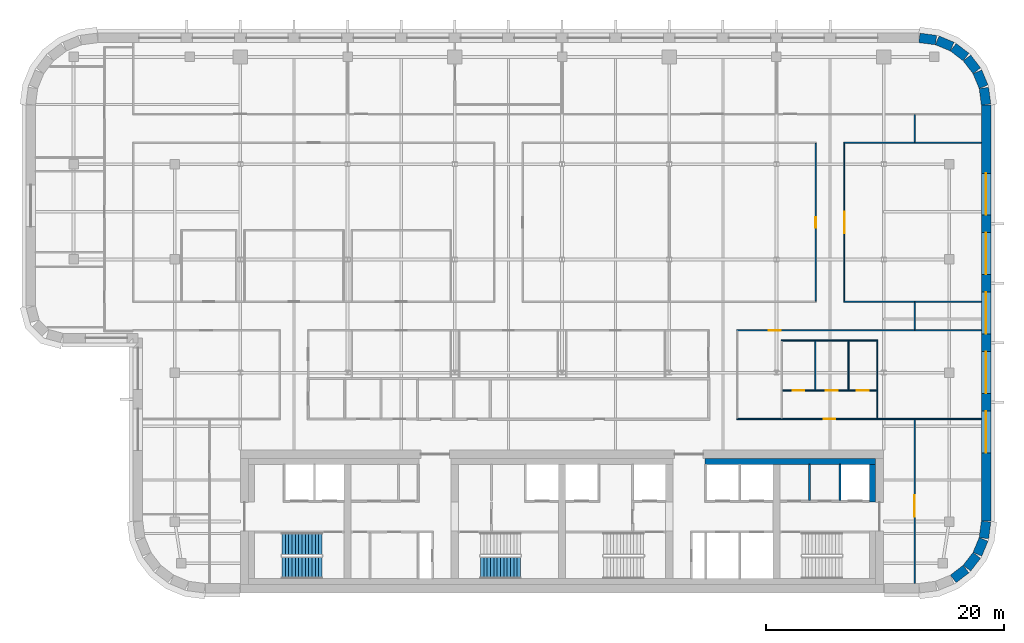
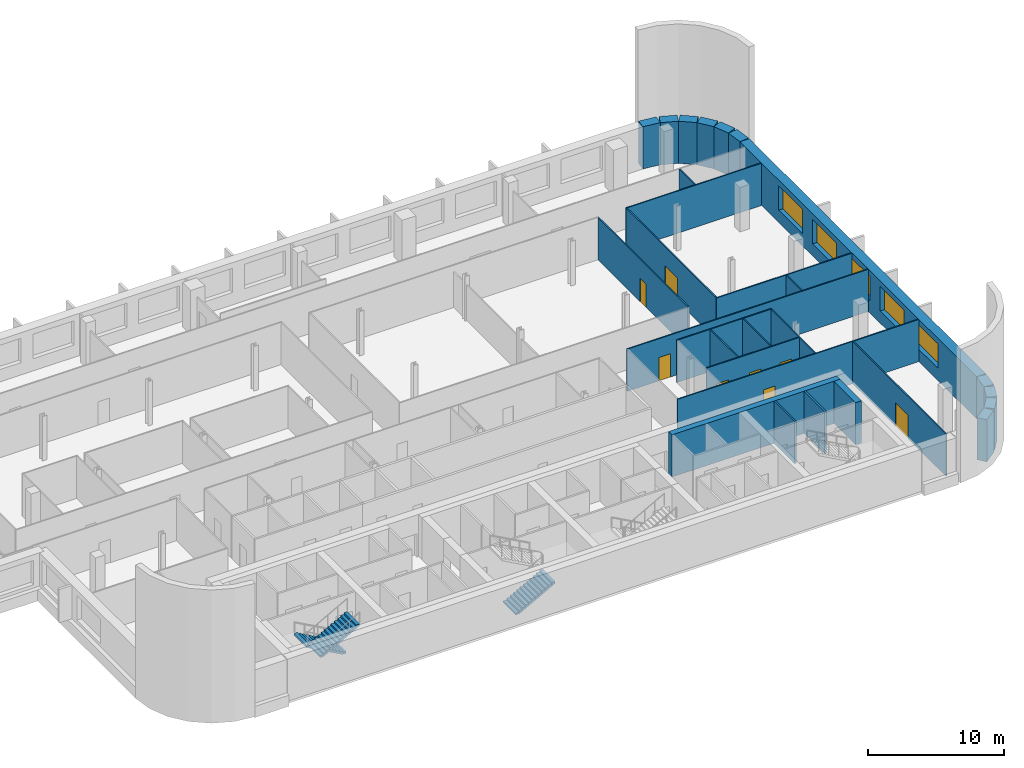
# One storey, part 12 of 17: 29 walls, 8 doors, 5 windows, 3 stair flights, 13 openings, 2 elements without a shape of their own.
"""IFC4 building model written with IfcOpenShell, lengths in metres."""

import ifcopenshell
import ifcopenshell.guid

model = None  # the IFC model being written
_history = None  # IfcOwnerHistory: only IFC2X3 demands one
_inside = {}  # id of a spatial element -> (the spatial element, [elements in it])
_under = {}  # id of a project, library or spatial element -> (it, [spatial elements below it])
_declared = {}  # id of a project -> (the project, [libraries it declares])
_typed = {}  # id of a type object -> (the type object, [elements of that type])
_made_of = {}  # id of a material, layer set ... -> (it, [elements and type objects made of it])


def new_model(schema):
    """Start an empty IFC model of exactly this schema.

    Asked for "IFC4X3", IfcOpenShell would pick the latest addendum, in which some entities
    have other attributes; the version numbers below select the first issue.
    IFC2X3 requires an IfcOwnerHistory on every rooted entity: one is made here for all.
    """
    global model, _history
    if schema == "IFC4X3":
        model = ifcopenshell.file(schema_version=(4, 3, 0, 0))
    else:
        model = ifcopenshell.file(schema=schema)
    _inside.clear()
    _under.clear()
    _declared.clear()
    _typed.clear()
    _made_of.clear()
    _history = None
    if model.schema == "IFC2X3":
        org = make("IfcOrganization", Name="unknown")
        user = make(
            "IfcPersonAndOrganization",
            ThePerson=make("IfcPerson", FamilyName="unknown"),
            TheOrganization=org,
        )
        app = make(
            "IfcApplication",
            ApplicationDeveloper=org,
            Version="unknown",
            ApplicationFullName="unknown",
            ApplicationIdentifier="unknown",
        )
        _history = make(
            "IfcOwnerHistory",
            OwningUser=user,
            OwningApplication=app,
            ChangeAction="ADDED",
            CreationDate=0,
        )
    return model


def make(cls, **values):
    """One entity of the class cls with the attributes given. An attribute that is None is left unset."""
    return model.create_entity(
        cls, **{name: value for name, value in values.items() if value is not None}
    )


def rooted(cls, **values):
    """An entity with a GlobalId (a new one), such as an element, a storey or a relation."""
    return make(cls, GlobalId=ifcopenshell.guid.new(), OwnerHistory=_history, **values)


def si_unit(unit_type, name, prefix=None):
    """IfcSIUnit, for example si_unit("LENGTHUNIT", "METRE", prefix="MILLI")."""
    return make("IfcSIUnit", UnitType=unit_type, Prefix=prefix, Name=name)


def assignment(units):
    """IfcUnitAssignment: the units of a project."""
    return None if units is None else make("IfcUnitAssignment", Units=units)


def point(xyz):
    """IfcCartesianPoint."""
    return None if xyz is None else make("IfcCartesianPoint", Coordinates=xyz)


def direction(xyz):
    """IfcDirection."""
    return None if xyz is None else make("IfcDirection", DirectionRatios=xyz)


def frame(location, z_axis=None, x_axis=None):
    """IfcAxis2Placement3D, a coordinate frame: its origin and axes. An axis left out is left unset."""
    return make(
        "IfcAxis2Placement3D",
        Location=point(location),
        Axis=direction(z_axis),
        RefDirection=direction(x_axis),
    )


def frame_2d(location, x_axis=None):
    """IfcAxis2Placement2D, a coordinate frame in the plane: its origin and x axis."""
    return make(
        "IfcAxis2Placement2D", Location=point(location), RefDirection=direction(x_axis)
    )


def origin():
    """The frame at (0, 0, 0) with its axes left unset."""
    return frame((0.0, 0.0, 0.0))


def place(relative_to, where):
    """IfcLocalPlacement: puts the frame where relative to a parent placement (None: the world)."""
    return make(
        "IfcLocalPlacement", PlacementRelTo=relative_to, RelativePlacement=where
    )


def context(
    kind, dimensions, precision=None, world=None, true_north=None, identifier=None
):
    """IfcGeometricRepresentationContext, for example the 3D "Model" context."""
    return make(
        "IfcGeometricRepresentationContext",
        ContextIdentifier=identifier,
        ContextType=kind,
        CoordinateSpaceDimension=dimensions,
        Precision=precision,
        WorldCoordinateSystem=world,
        TrueNorth=true_north,
    )


def subcontext(parent, identifier, kind, view, scale=None):
    """IfcGeometricRepresentationSubContext, for example "Body" below "Model"."""
    return make(
        "IfcGeometricRepresentationSubContext",
        ContextIdentifier=identifier,
        ContextType=kind,
        ParentContext=parent,
        TargetScale=scale,
        TargetView=view,
    )


def project(units=None, contexts=None):
    """IfcProject with its units and contexts."""
    return rooted(
        "IfcProject",
        Name="project",
        RepresentationContexts=contexts,
        UnitsInContext=assignment(units),
    )


def spatial(cls, under=None, at=None, **own):
    """A site, building, storey or space (cls), placed at a placement, below another one or the project."""
    s = rooted(cls, ObjectPlacement=at, **own)
    if under is not None:
        _under.setdefault(under.id(), (under, []))[1].append(s)
    return s


def polyline(points):
    """IfcPolyline through the points."""
    return make("IfcPolyline", Points=[point(p) for p in points])


def profile(cls, at=None, kind="AREA", **sizes):
    """A parametric profile (cls). Its sizes go by their IFC names, for example OverallWidth=200.0."""
    return make(cls, ProfileType=kind, Position=at, **sizes)


def rectangle(**sizes):
    """IfcRectangleProfileDef."""
    return profile("IfcRectangleProfileDef", **sizes)


def outline(outer, holes=None, kind="AREA"):
    """IfcArbitraryClosedProfileDef: a profile drawn as a closed curve; with holes, ...WithVoids."""
    if holes is None:
        return make("IfcArbitraryClosedProfileDef", ProfileType=kind, OuterCurve=outer)
    return make(
        "IfcArbitraryProfileDefWithVoids",
        ProfileType=kind,
        OuterCurve=outer,
        InnerCurves=holes,
    )


def extrude(swept, where, along, depth):
    """IfcExtrudedAreaSolid: the profile swept, set in the frame where, extruded along a direction by depth."""
    return make(
        "IfcExtrudedAreaSolid",
        SweptArea=swept,
        Position=where,
        ExtrudedDirection=direction(along),
        Depth=depth,
    )


def shape(context_of_items, identifier, shape_type, items):
    """IfcShapeRepresentation: the items that make up one representation, for example the "Body"."""
    return make(
        "IfcShapeRepresentation",
        ContextOfItems=context_of_items,
        RepresentationIdentifier=identifier,
        RepresentationType=shape_type,
        Items=items,
    )


def material(Name=None, Category=None):
    """IfcMaterial."""
    return make("IfcMaterial", Name=Name, Category=Category)


def layer(
    of_material, thickness, ventilated=None, Name=None, Category=None, Priority=None
):
    """IfcMaterialLayer: one layer of a wall or slab, of a material (None: an air gap)."""
    return make(
        "IfcMaterialLayer",
        Material=of_material,
        LayerThickness=thickness,
        IsVentilated=ventilated,
        Name=Name,
        Category=Category,
        Priority=Priority,
    )


def layer_set(layers, Name=None):
    """IfcMaterialLayerSet."""
    return make("IfcMaterialLayerSet", MaterialLayers=layers, LayerSetName=Name)


def made_of(thing, what):
    """Note that an element or type object is made of a material, layer set ...; save() writes the relation."""
    if what is not None:
        _made_of.setdefault(what.id(), (what, []))[1].append(thing)
    return thing


def type_object(cls, material=None, **own):
    """A type object (cls), such as IfcWallType, which elements share."""
    return made_of(rooted(cls, **own), material)


def element(
    cls,
    number,
    at=None,
    inside=None,
    cuts=None,
    type_object=None,
    material=None,
    context=None,
    identifier="Body",
    shape_type=None,
    held_by="IfcProductDefinitionShape",
    body=None,
    shapes=None,
    **own,
):
    """One element of the class cls, such as IfcWall. Its Tag is "e" and its number.

    at: its placement. inside: the storey or other place that contains it. cuts: it is an
    opening in that element (IfcRelVoidsElement). A single representation is given by context,
    identifier, shape_type and body (its items); several are given by shapes. held_by: the class
    of the entity that holds the representations. save() writes the other relations.
    """
    e = rooted(cls, Tag="e%d" % number, ObjectPlacement=at, **own)
    if body is not None:
        shapes = [shape(context, identifier, shape_type, body)]
    if shapes is not None:
        e.Representation = make(held_by, Representations=shapes)
    if inside is not None:
        _inside.setdefault(inside.id(), (inside, []))[1].append(e)
    if cuts is not None:
        rooted(
            "IfcRelVoidsElement", RelatingBuildingElement=cuts, RelatedOpeningElement=e
        )
    if type_object is not None:
        _typed.setdefault(type_object.id(), (type_object, []))[1].append(e)
    return made_of(e, material)


def fill(opening, filler):
    """IfcRelFillsElement: the door or window that sits in an opening."""
    return rooted(
        "IfcRelFillsElement",
        RelatingOpeningElement=opening,
        RelatedBuildingElement=filler,
    )


def aggregate(whole, parts):
    """IfcRelAggregates: a whole, such as a stair, and the parts it consists of."""
    return rooted("IfcRelAggregates", RelatingObject=whole, RelatedObjects=parts)


def save(model, path):
    """Write the relations noted so far, then the file.

    IfcRelAggregates (storeys below a building ...), IfcRelContainedInSpatialStructure (elements
    in a storey), IfcRelDefinesByType, IfcRelAssociatesMaterial and IfcRelDeclares: one each for
    every whole, place, type object, material and project.
    """
    for whole, parts in _under.values():
        aggregate(whole, parts)
    for where, things in _inside.values():
        rooted(
            "IfcRelContainedInSpatialStructure",
            RelatedElements=things,
            RelatingStructure=where,
        )
    for kind, things in _typed.values():
        rooted("IfcRelDefinesByType", RelatedObjects=things, RelatingType=kind)
    for what, things in _made_of.values():
        rooted("IfcRelAssociatesMaterial", RelatedObjects=things, RelatingMaterial=what)
    for by, libraries in _declared.values():
        rooted("IfcRelDeclares", RelatingContext=by, RelatedDefinitions=libraries)
    model.write(path)


model = new_model("IFC4")

# Units and contexts
model_context = context("Model", 3, precision=1e-05, world=origin(), true_north=direction((0.0, 1.0)))
body_context = subcontext(model_context, "Body", "Model", "MODEL_VIEW")
ifc_project = project(units=[si_unit("LENGTHUNIT", "METRE"), si_unit("AREAUNIT", "SQUARE_METRE"), si_unit("VOLUMEUNIT", "CUBIC_METRE"), si_unit("PLANEANGLEUNIT", "RADIAN"), si_unit("MASSUNIT", "GRAM", prefix="KILO")], contexts=[model_context])

# Site, building, storey
site_placement = place(None, origin())
site = spatial("IfcSite", under=ifc_project, at=site_placement, CompositionType="ELEMENT")
building_placement = place(site_placement, origin())
building = spatial("IfcBuilding", under=site, at=building_placement, Name="Zellij Exchange Tower", CompositionType="ELEMENT")
storey_placement = place(building_placement, frame((0.0, 0.0, 232.5)))
storey = spatial("IfcBuildingStorey", under=building, at=storey_placement, Name="L54", CompositionType="ELEMENT", Elevation=232.5)

# Walls
ifc_material_1 = material(Name="Concrete C30/37", Category="concrete")
ifc_layer_1 = layer(ifc_material_1, 0.5)
ifc_layer_set_1 = layer_set([ifc_layer_1], Name="Concrete C30/37")
wall_type_1 = type_object("IfcWallType", Name="CORE-LW 500 C30/37", PredefinedType="SHEAR", material=ifc_layer_set_1)
wall_1_placement = place(storey_placement, frame((12.0, -2.949951171875, 0.0), z_axis=(0.0, 0.0, 1.0), x_axis=(1.0, 0.0, 0.0)))
element("IfcWall", 1, at=wall_1_placement, inside=storey, type_object=wall_type_1, Name="Core wall lining front.2 L54", PredefinedType="SHEAR", context=body_context, shape_type="SweptSolid", body=[
    extrude(rectangle(XDim=14.300048828125, YDim=0.5, at=frame_2d((7.14990234375, 0.0))), origin(), (0.0, 0.0, 1.0), 3.800048828125),
])
wall_2_placement = place(storey_placement, frame((26.050048828125, -6.375, 0.0), z_axis=(0.0, 0.0, 1.0), x_axis=(0.0, 1.0, 0.0)))
element("IfcWall", 2, at=wall_2_placement, inside=storey, type_object=wall_type_1, Name="Core wall lining end e.1 L54", PredefinedType="SHEAR", context=body_context, shape_type="SweptSolid", body=[
    extrude(rectangle(XDim=3.175048828125, YDim=0.5, at=frame_2d((1.58740234375, 0.0))), origin(), (0.0, 0.0, 1.0), 3.800048828125),
])
ifc_material_2 = material(Name="Gypsum board partition")
ifc_layer_2 = layer(ifc_material_2, 0.14990234375)
ifc_layer_set_2 = layer_set([ifc_layer_2], Name="Gypsum board partition")
wall_type_2 = type_object("IfcWallType", Name="CORE-PW 150 Lift lobby wall", PredefinedType="PARTITIONING", material=ifc_layer_set_2)
wall_3_placement = place(storey_placement, frame((20.77490234375, -6.22509765625, 0.0), z_axis=(0.0, 0.0, 1.0), x_axis=(0.0, 1.0, 0.0)))
element("IfcWall", 3, at=wall_3_placement, inside=storey, type_object=wall_type_2, Name="Lift lobby wall L54", PredefinedType="PARTITIONING", context=body_context, shape_type="SweptSolid", body=[
    extrude(rectangle(XDim=3.025146484375, YDim=0.14990234375, at=frame_2d((1.5126953125, 0.0))), origin(), (0.0, 0.0, 1.0), 3.800048828125),
])
ifc_material_3 = material(Name="Gypsum shaft wall system")
ifc_layer_3 = layer(ifc_material_3, 0.14990234375)
ifc_layer_set_3 = layer_set([ifc_layer_3], Name="Gypsum shaft wall system")
wall_type_3 = type_object("IfcWallType", Name="CORE-PW 150 Lift shaft wall", PredefinedType="PARTITIONING", material=ifc_layer_set_3)
wall_4_placement = place(storey_placement, frame((23.324951171875, -6.22509765625, 0.0), z_axis=(0.0, 0.0, 1.0), x_axis=(0.0, 1.0, 0.0)))
element("IfcWall", 4, at=wall_4_placement, inside=storey, type_object=wall_type_3, Name="Lift shaft wall L54", PredefinedType="PARTITIONING", context=body_context, shape_type="SweptSolid", body=[
    extrude(rectangle(XDim=3.025146484375, YDim=0.14990234375, at=frame_2d((1.5126953125, 0.0))), origin(), (0.0, 0.0, 1.0), 3.800048828125),
])
ifc_material_4 = material(Name="Precast concrete C40/50", Category="concrete")
ifc_layer_4 = layer(ifc_material_4, 0.800048828125)
ifc_layer_set_4 = layer_set([ifc_layer_4], Name="Precast concrete C40/50")
wall_type_4 = type_object("IfcWallType", Name="ENV-EW1 Precast stone-piered wall 800", PredefinedType="SOLIDWALL", material=ifc_layer_set_4)
for number, where, z_axis, x_axis, name in (
    (5, (32.840087890625, -12.814697265625, 0.0), (0.0, 0.0, 1.0), (0.793272915452, 0.608866226366, 0.0), "fac.L54.03"),
    (6, (33.9892578125, -11.91552734375, 0.0), (0.0, 0.0, 1.0), (0.608866226366, 0.793272915452, 0.0), "fac.L54.04"),
):
    element("IfcWall", number, at=place(storey_placement, frame(where, z_axis=z_axis, x_axis=x_axis)), inside=storey, type_object=wall_type_4, Name=name, PredefinedType="SOLIDWALL", context=body_context, shape_type="SweptSolid", body=[
        extrude(rectangle(XDim=1.355712890625, YDim=0.800048828125, at=frame_2d((0.677734375, 0.0))), origin(), (0.0, 0.0, 1.0), 3.800048828125),
    ])
wall_5_placement = place(storey_placement, frame((34.866943359375, -10.74951171875, 0.0), z_axis=(0.0, 0.0, 1.0), x_axis=(0.38276009378, 0.923847774587, 0.0)))
element("IfcWall", 7, at=wall_5_placement, inside=storey, type_object=wall_type_4, Name="fac.L54.05", PredefinedType="SOLIDWALL", context=body_context, shape_type="SweptSolid", body=[
    extrude(rectangle(XDim=1.35546875, YDim=0.800048828125, at=frame_2d((0.677734375, 0.0))), origin(), (0.0, 0.0, 1.0), 3.800048828125),
])
wall_6_placement = place(storey_placement, frame((35.412841796875, -9.396240234375, 0.0), z_axis=(0.0, 0.0, 1.0), x_axis=(0.130517283865, 0.99144603414, 0.0)))
element("IfcWall", 8, at=wall_6_placement, inside=storey, type_object=wall_type_4, Name="fac.L54.06", PredefinedType="SOLIDWALL", context=body_context, shape_type="SweptSolid", body=[
    extrude(rectangle(XDim=1.408447265625, YDim=0.800048828125, at=frame_2d((0.7041015625, 0.0))), origin(), (0.0, 0.0, 1.0), 3.800048828125),
])

# Wall, openings, windows
wall_7_placement = place(storey_placement, frame((35.60009765625, -7.947509765625, 0.0), z_axis=(0.0, 0.0, 1.0), x_axis=(0.0, 1.0, 0.0)))
wall_7 = element("IfcWall", 9, at=wall_7_placement, inside=storey, type_object=wall_type_4, Name="fac.L54.07", PredefinedType="SOLIDWALL", context=body_context, shape_type="SweptSolid", body=[
    extrude(rectangle(XDim=34.89501953125, YDim=0.800048828125, at=frame_2d((17.447509765625, 0.0))), origin(), (0.0, 0.0, 1.0), 3.800048828125),
])
opening_1_placement = place(wall_7_placement, frame((5.71240234375, 0.0, 1.10009765625)))
opening_1 = element("IfcOpeningElement", 10, at=opening_1_placement, cuts=wall_7, Name="Opening FZ4.01", PredefinedType="OPENING", context=body_context, shape_type="SweptSolid", body=[
    extrude(rectangle(XDim=3.5, YDim=2.199951171875, at=frame_2d((1.75, 1.10009765625))), frame((0.0, 0.412109375, 0.0), z_axis=(0.0, -1.0, 0.0), x_axis=(1.0, 0.0, 0.0)), (0.0, 0.0, 1.0), 0.823974609375),
])
opening_2_placement = place(wall_7_placement, frame((10.705078125, 0.0, 1.10009765625)))
opening_2 = element("IfcOpeningElement", 11, at=opening_2_placement, cuts=wall_7, Name="Opening FZ4.02", PredefinedType="OPENING", context=body_context, shape_type="SweptSolid", body=[
    extrude(rectangle(XDim=3.5, YDim=2.199951171875, at=frame_2d((1.75, 1.10009765625))), frame((0.0, 0.412109375, 0.0), z_axis=(0.0, -1.0, 0.0), x_axis=(1.0, 0.0, 0.0)), (0.0, 0.0, 1.0), 0.823974609375),
])
opening_3_placement = place(wall_7_placement, frame((15.697509765625, 0.0, 1.10009765625)))
opening_3 = element("IfcOpeningElement", 12, at=opening_3_placement, cuts=wall_7, Name="Opening FZ4.03", PredefinedType="OPENING", context=body_context, shape_type="SweptSolid", body=[
    extrude(rectangle(XDim=3.5, YDim=2.199951171875, at=frame_2d((1.75, 1.10009765625))), frame((0.0, 0.412109375, 0.0), z_axis=(0.0, -1.0, 0.0), x_axis=(1.0, 0.0, 0.0)), (0.0, 0.0, 1.0), 0.823974609375),
])
opening_4_placement = place(wall_7_placement, frame((20.690185546875, 0.0, 1.10009765625)))
opening_4 = element("IfcOpeningElement", 13, at=opening_4_placement, cuts=wall_7, Name="Opening FZ4.04", PredefinedType="OPENING", context=body_context, shape_type="SweptSolid", body=[
    extrude(rectangle(XDim=3.5, YDim=2.199951171875, at=frame_2d((1.75, 1.10009765625))), frame((0.0, 0.412109375, 0.0), z_axis=(0.0, -1.0, 0.0), x_axis=(1.0, 0.0, 0.0)), (0.0, 0.0, 1.0), 0.823974609375),
])
opening_5_placement = place(wall_7_placement, frame((25.6826171875, 0.0, 1.10009765625)))
opening_5 = element("IfcOpeningElement", 14, at=opening_5_placement, cuts=wall_7, Name="Opening FZ4.05", PredefinedType="OPENING", context=body_context, shape_type="SweptSolid", body=[
    extrude(rectangle(XDim=3.5, YDim=2.199951171875, at=frame_2d((1.75, 1.10009765625))), frame((0.0, 0.412109375, 0.0), z_axis=(0.0, -1.0, 0.0), x_axis=(1.0, 0.0, 0.0)), (0.0, 0.0, 1.0), 0.823974609375),
])
ifc_material_5 = material(Name="Aluminium frame with insulating glass", Category="aluminium")
window_type = type_object("IfcWindowType", Name="ENV-W7 Window 3500x2200", PartitioningType="SINGLE_PANEL", PredefinedType="WINDOW", material=ifc_material_5)
window_1_placement = place(opening_1_placement, origin())
window_1 = element("IfcWindow", 15, at=window_1_placement, inside=storey, type_object=window_type, Name="Window FZ4.01", OverallHeight=2.199951171875, OverallWidth=3.5, PartitioningType="SINGLE_PANEL", PredefinedType="WINDOW", context=body_context, shape_type="SweptSolid", body=[
    extrude(rectangle(XDim=3.5, YDim=2.199951171875, at=frame_2d((1.75, 1.10009765625))), frame((0.0, 0.030029296875, 0.0), z_axis=(0.0, -1.0, 0.0), x_axis=(1.0, 0.0, 0.0)), (0.0, 0.0, 1.0), 0.06005859375),
])
fill(opening_1, window_1)
window_2_placement = place(opening_2_placement, origin())
window_2 = element("IfcWindow", 16, at=window_2_placement, inside=storey, type_object=window_type, Name="Window FZ4.02", OverallHeight=2.199951171875, OverallWidth=3.5, PartitioningType="SINGLE_PANEL", PredefinedType="WINDOW", context=body_context, shape_type="SweptSolid", body=[
    extrude(rectangle(XDim=3.5, YDim=2.199951171875, at=frame_2d((1.75, 1.10009765625))), frame((0.0, 0.030029296875, 0.0), z_axis=(0.0, -1.0, 0.0), x_axis=(1.0, 0.0, 0.0)), (0.0, 0.0, 1.0), 0.06005859375),
])
fill(opening_2, window_2)
window_3_placement = place(opening_3_placement, origin())
window_3 = element("IfcWindow", 17, at=window_3_placement, inside=storey, type_object=window_type, Name="Window FZ4.03", OverallHeight=2.199951171875, OverallWidth=3.5, PartitioningType="SINGLE_PANEL", PredefinedType="WINDOW", context=body_context, shape_type="SweptSolid", body=[
    extrude(rectangle(XDim=3.5, YDim=2.199951171875, at=frame_2d((1.75, 1.10009765625))), frame((0.0, 0.030029296875, 0.0), z_axis=(0.0, -1.0, 0.0), x_axis=(1.0, 0.0, 0.0)), (0.0, 0.0, 1.0), 0.06005859375),
])
fill(opening_3, window_3)
window_4_placement = place(opening_4_placement, origin())
window_4 = element("IfcWindow", 18, at=window_4_placement, inside=storey, type_object=window_type, Name="Window FZ4.04", OverallHeight=2.199951171875, OverallWidth=3.5, PartitioningType="SINGLE_PANEL", PredefinedType="WINDOW", context=body_context, shape_type="SweptSolid", body=[
    extrude(rectangle(XDim=3.5, YDim=2.199951171875, at=frame_2d((1.75, 1.10009765625))), frame((0.0, 0.030029296875, 0.0), z_axis=(0.0, -1.0, 0.0), x_axis=(1.0, 0.0, 0.0)), (0.0, 0.0, 1.0), 0.06005859375),
])
fill(opening_4, window_4)
window_5_placement = place(opening_5_placement, origin())
window_5 = element("IfcWindow", 19, at=window_5_placement, inside=storey, type_object=window_type, Name="Window FZ4.05", OverallHeight=2.199951171875, OverallWidth=3.5, PartitioningType="SINGLE_PANEL", PredefinedType="WINDOW", context=body_context, shape_type="SweptSolid", body=[
    extrude(rectangle(XDim=3.5, YDim=2.199951171875, at=frame_2d((1.75, 1.10009765625))), frame((0.0, 0.030029296875, 0.0), z_axis=(0.0, -1.0, 0.0), x_axis=(1.0, 0.0, 0.0)), (0.0, 0.0, 1.0), 0.06005859375),
])
fill(opening_5, window_5)

# Walls
wall_8_placement = place(storey_placement, frame((35.5966796875, 26.999755859375, 0.0), z_axis=(0.0, 0.0, 1.0), x_axis=(-0.130517283865, 0.99144603414, 0.0)))
element("IfcWall", 20, at=wall_8_placement, inside=storey, type_object=wall_type_4, Name="fac.L54.08", PredefinedType="SOLIDWALL", context=body_context, shape_type="SweptSolid", body=[
    extrude(rectangle(XDim=1.408447265625, YDim=0.800048828125, at=frame_2d((0.7041015625, 0.0))), origin(), (0.0, 0.0, 1.0), 3.800048828125),
])
wall_9_placement = place(storey_placement, frame((35.3857421875, 28.497314453125, 0.0), z_axis=(0.0, 0.0, 1.0), x_axis=(-0.38276009378, 0.923847774587, 0.0)))
element("IfcWall", 21, at=wall_9_placement, inside=storey, type_object=wall_type_4, Name="fac.L54.09", PredefinedType="SOLIDWALL", context=body_context, shape_type="SweptSolid", body=[
    extrude(rectangle(XDim=1.35546875, YDim=0.800048828125, at=frame_2d((0.677734375, 0.0))), origin(), (0.0, 0.0, 1.0), 3.800048828125),
])
for number, where, z_axis, x_axis, name in (
    (22, (34.814697265625, 29.840087890625, 0.0), (0.0, 0.0, 1.0), (-0.608866226366, 0.793272915452, 0.0), "fac.L54.10"),
    (23, (33.91552734375, 30.9892578125, 0.0), (0.0, 0.0, 1.0), (-0.793272915452, 0.608866226366, 0.0), "fac.L54.11"),
):
    element("IfcWall", number, at=place(storey_placement, frame(where, z_axis=z_axis, x_axis=x_axis)), inside=storey, type_object=wall_type_4, Name=name, PredefinedType="SOLIDWALL", context=body_context, shape_type="SweptSolid", body=[
        extrude(rectangle(XDim=1.355712890625, YDim=0.800048828125, at=frame_2d((0.677734375, 0.0))), origin(), (0.0, 0.0, 1.0), 3.800048828125),
    ])
wall_10_placement = place(storey_placement, frame((32.74951171875, 31.866943359375, 0.0), z_axis=(0.0, 0.0, 1.0), x_axis=(-0.923847774587, 0.38276009378, 0.0)))
element("IfcWall", 24, at=wall_10_placement, inside=storey, type_object=wall_type_4, Name="fac.L54.12", PredefinedType="SOLIDWALL", context=body_context, shape_type="SweptSolid", body=[
    extrude(rectangle(XDim=1.35546875, YDim=0.800048828125, at=frame_2d((0.677734375, 0.0))), origin(), (0.0, 0.0, 1.0), 3.800048828125),
])
wall_11_placement = place(storey_placement, frame((31.396240234375, 32.412841796875, 0.0), z_axis=(0.0, 0.0, 1.0), x_axis=(-0.99144603414, 0.130517283865, 0.0)))
element("IfcWall", 25, at=wall_11_placement, inside=storey, type_object=wall_type_4, Name="fac.L54.13", PredefinedType="SOLIDWALL", context=body_context, shape_type="SweptSolid", body=[
    extrude(rectangle(XDim=1.408447265625, YDim=0.800048828125, at=frame_2d((0.7041015625, 0.0))), origin(), (0.0, 0.0, 1.0), 3.800048828125),
])

# Wall, opening, door
ifc_material_6 = material(Name="Gypsum board partition on steel studs", Category="steel")
ifc_layer_5 = layer(ifc_material_6, 0.10009765625)
ifc_layer_set_5 = layer_set([ifc_layer_5], Name="Gypsum board partition on steel studs")
wall_type_5 = type_object("IfcWallType", Name="FIT-PARTITION-100", PredefinedType="PARTITIONING", material=ifc_layer_set_5)
wall_12_placement = place(storey_placement, frame((29.60009765625, -13.199951171875, 0.0), z_axis=(0.0, 0.0, 1.0), x_axis=(0.0, 1.0, 0.0)))
wall_12 = element("IfcWall", 26, at=wall_12_placement, inside=storey, type_object=wall_type_5, Name="FIT-PARTITION-100 002", PredefinedType="PARTITIONING", context=body_context, shape_type="SweptSolid", body=[
    extrude(rectangle(XDim=13.75, YDim=0.10009765625, at=frame_2d((6.875, 0.0))), origin(), (0.0, 0.0, 1.0), 3.800048828125),
])
opening_6_placement = place(wall_12_placement, frame((5.60009765625, 0.0, 0.0)))
opening_6 = element("IfcOpeningElement", 27, at=opening_6_placement, cuts=wall_12, Name="Opening O4B.01", PredefinedType="OPENING", context=body_context, shape_type="SweptSolid", body=[
    extrude(rectangle(XDim=1.800048828125, YDim=2.10009765625, at=frame_2d((0.89990234375, 1.050048828125))), frame((0.0, 0.06201171875, 0.0), z_axis=(0.0, -1.0, 0.0), x_axis=(1.0, 0.0, 0.0)), (0.0, 0.0, 1.0), 0.1240234375),
])
ifc_material_7 = material(Name="Timber door set", Category="wood")
door_type_1 = type_object("IfcDoorType", Name="FIT-D3-DOUBLE-1800X2100", OperationType="DOUBLE_DOOR_SINGLE_SWING", PredefinedType="DOOR", material=ifc_material_7)
door_1_placement = place(opening_6_placement, origin())
door_1 = element("IfcDoor", 28, at=door_1_placement, inside=storey, type_object=door_type_1, Name="Door O4B.01", OperationType="DOUBLE_DOOR_SINGLE_SWING", OverallHeight=2.10009765625, OverallWidth=1.800048828125, PredefinedType="DOOR", context=body_context, shape_type="SweptSolid", body=[
    extrude(rectangle(XDim=1.800048828125, YDim=2.10009765625, at=frame_2d((0.89990234375, 1.050048828125))), frame((0.0, 0.02490234375, 0.0), z_axis=(0.0, -1.0, 0.0), x_axis=(1.0, 0.0, 0.0)), (0.0, 0.0, 1.0), 0.050048828125),
])
fill(opening_6, door_1)

wall_13_placement = place(storey_placement, frame((14.64990234375, 0.60009765625, 0.0), z_axis=(0.0, 0.0, 1.0), x_axis=(1.0, 0.0, 0.0)))
wall_13 = element("IfcWall", 29, at=wall_13_placement, inside=storey, type_object=wall_type_5, Name="FIT-PARTITION-100 015", PredefinedType="PARTITIONING", context=body_context, shape_type="SweptSolid", body=[
    extrude(rectangle(XDim=20.550048828125, YDim=0.10009765625, at=frame_2d((10.27490234375, 0.0))), origin(), (0.0, 0.0, 1.0), 3.800048828125),
])
opening_7_placement = place(wall_13_placement, frame((7.300048828125, 0.0, 0.0)))
opening_7 = element("IfcOpeningElement", 30, at=opening_7_placement, cuts=wall_13, Name="Opening O4B.08", PredefinedType="OPENING", context=body_context, shape_type="SweptSolid", body=[
    extrude(rectangle(XDim=1.0, YDim=2.10009765625, at=frame_2d((0.5, 1.050048828125))), frame((0.0, 0.06201171875, 0.0), z_axis=(0.0, -1.0, 0.0), x_axis=(1.0, 0.0, 0.0)), (0.0, 0.0, 1.0), 0.1240234375),
])
door_type_2 = type_object("IfcDoorType", Name="FIT-D2-WIDE-1000X2100", OperationType="SINGLE_SWING_LEFT", PredefinedType="DOOR", material=ifc_material_7)
door_2_placement = place(opening_7_placement, origin())
door_2 = element("IfcDoor", 31, at=door_2_placement, inside=storey, type_object=door_type_2, Name="Door O4B.08", OperationType="SINGLE_SWING_RIGHT", OverallHeight=2.10009765625, OverallWidth=1.0, PredefinedType="DOOR", context=body_context, shape_type="SweptSolid", body=[
    extrude(rectangle(XDim=1.0, YDim=2.10009765625, at=frame_2d((0.5, 1.050048828125))), frame((0.0, 0.02490234375, 0.0), z_axis=(0.0, -1.0, 0.0), x_axis=(1.0, 0.0, 0.0)), (0.0, 0.0, 1.0), 0.050048828125),
])
fill(opening_7, door_2)

# Wall
wall_14_placement = place(storey_placement, frame((26.449951171875, 0.64990234375, 0.0), z_axis=(0.0, 0.0, 1.0), x_axis=(0.0, 1.0, 0.0)))
element("IfcWall", 32, at=wall_14_placement, inside=storey, type_object=wall_type_5, Name="FIT-PARTITION-100 018", PredefinedType="PARTITIONING", context=body_context, shape_type="SweptSolid", body=[
    extrude(rectangle(XDim=6.5, YDim=0.10009765625, at=frame_2d((3.25, 0.0))), origin(), (0.0, 0.0, 1.0), 3.800048828125),
])

# Wall, openings, doors
wall_15_placement = place(storey_placement, frame((18.5, 3.0, 0.0), z_axis=(0.0, 0.0, 1.0), x_axis=(1.0, 0.0, 0.0)))
wall_15 = element("IfcWall", 33, at=wall_15_placement, inside=storey, type_object=wall_type_5, Name="FIT-PARTITION-100 019", PredefinedType="PARTITIONING", context=body_context, shape_type="SweptSolid", body=[
    extrude(rectangle(XDim=7.89990234375, YDim=0.10009765625, at=frame_2d((3.949951171875, 0.0))), origin(), (0.0, 0.0, 1.0), 3.800048828125),
])
opening_8_placement = place(wall_15_placement, frame((0.85009765625, 0.0, 0.0)))
opening_8 = element("IfcOpeningElement", 34, at=opening_8_placement, cuts=wall_15, Name="Opening O4B.10", PredefinedType="OPENING", context=body_context, shape_type="SweptSolid", body=[
    extrude(rectangle(XDim=1.0, YDim=2.10009765625, at=frame_2d((0.5, 1.050048828125))), frame((0.0, 0.06201171875, 0.0), z_axis=(0.0, -1.0, 0.0), x_axis=(1.0, 0.0, 0.0)), (0.0, 0.0, 1.0), 0.1240234375),
])
opening_9_placement = place(wall_15_placement, frame((3.64990234375, 0.0, 0.0)))
opening_9 = element("IfcOpeningElement", 35, at=opening_9_placement, cuts=wall_15, Name="Opening O4B.11", PredefinedType="OPENING", context=body_context, shape_type="SweptSolid", body=[
    extrude(rectangle(XDim=1.0, YDim=2.10009765625, at=frame_2d((0.5, 1.050048828125))), frame((0.0, 0.06201171875, 0.0), z_axis=(0.0, -1.0, 0.0), x_axis=(1.0, 0.0, 0.0)), (0.0, 0.0, 1.0), 0.1240234375),
])
opening_10_placement = place(wall_15_placement, frame((6.25, 0.0, 0.0)))
opening_10 = element("IfcOpeningElement", 36, at=opening_10_placement, cuts=wall_15, Name="Opening O4B.12", PredefinedType="OPENING", context=body_context, shape_type="SweptSolid", body=[
    extrude(rectangle(XDim=1.0, YDim=2.10009765625, at=frame_2d((0.5, 1.050048828125))), frame((0.0, 0.06201171875, 0.0), z_axis=(0.0, -1.0, 0.0), x_axis=(1.0, 0.0, 0.0)), (0.0, 0.0, 1.0), 0.1240234375),
])
door_3_placement = place(opening_8_placement, origin())
door_3 = element("IfcDoor", 37, at=door_3_placement, inside=storey, type_object=door_type_2, Name="Door O4B.10", OperationType="SINGLE_SWING_LEFT", OverallHeight=2.10009765625, OverallWidth=1.0, PredefinedType="DOOR", context=body_context, shape_type="SweptSolid", body=[
    extrude(rectangle(XDim=1.0, YDim=2.10009765625, at=frame_2d((0.5, 1.050048828125))), frame((0.0, 0.02490234375, 0.0), z_axis=(0.0, -1.0, 0.0), x_axis=(1.0, 0.0, 0.0)), (0.0, 0.0, 1.0), 0.050048828125),
])
fill(opening_8, door_3)
door_4_placement = place(opening_9_placement, origin())
door_4 = element("IfcDoor", 38, at=door_4_placement, inside=storey, type_object=door_type_2, Name="Door O4B.11", OperationType="SINGLE_SWING_RIGHT", OverallHeight=2.10009765625, OverallWidth=1.0, PredefinedType="DOOR", context=body_context, shape_type="SweptSolid", body=[
    extrude(rectangle(XDim=1.0, YDim=2.10009765625, at=frame_2d((0.5, 1.050048828125))), frame((0.0, 0.02490234375, 0.0), z_axis=(0.0, -1.0, 0.0), x_axis=(1.0, 0.0, 0.0)), (0.0, 0.0, 1.0), 0.050048828125),
])
fill(opening_9, door_4)
door_5_placement = place(opening_10_placement, origin())
door_5 = element("IfcDoor", 39, at=door_5_placement, inside=storey, type_object=door_type_2, Name="Door O4B.12", OperationType="SINGLE_SWING_RIGHT", OverallHeight=2.10009765625, OverallWidth=1.0, PredefinedType="DOOR", context=body_context, shape_type="SweptSolid", body=[
    extrude(rectangle(XDim=1.0, YDim=2.10009765625, at=frame_2d((0.5, 1.050048828125))), frame((0.0, 0.02490234375, 0.0), z_axis=(0.0, -1.0, 0.0), x_axis=(1.0, 0.0, 0.0)), (0.0, 0.0, 1.0), 0.050048828125),
])
fill(opening_10, door_5)

# Walls
for number, where, z_axis, x_axis, name in (
    (40, (21.25, 3.050048828125, 0.0), (0.0, 0.0, 1.0), (0.0, 1.0, 0.0), "FIT-PARTITION-100 020"),
    (41, (24.050048828125, 3.050048828125, 0.0), (0.0, 0.0, 1.0), (0.0, 1.0, 0.0), "FIT-PARTITION-100 021"),
):
    element("IfcWall", number, at=place(storey_placement, frame(where, z_axis=z_axis, x_axis=x_axis)), inside=storey, type_object=wall_type_5, Name=name, PredefinedType="PARTITIONING", context=body_context, shape_type="SweptSolid", body=[
        extrude(rectangle(XDim=4.099853515625, YDim=0.10009765625, at=frame_2d((2.0498046875, 0.0))), origin(), (0.0, 0.0, 1.0), 3.800048828125),
    ])
wall_16_placement = place(storey_placement, frame((18.39990234375, 7.199951171875, 0.0), z_axis=(0.0, 0.0, 1.0), x_axis=(1.0, 0.0, 0.0)))
element("IfcWall", 42, at=wall_16_placement, inside=storey, type_object=wall_type_5, Name="FIT-PARTITION-100 032", PredefinedType="PARTITIONING", context=body_context, shape_type="SweptSolid", body=[
    extrude(rectangle(XDim=8.10009765625, YDim=0.10009765625, at=frame_2d((4.050048828125, 0.0))), origin(), (0.0, 0.0, 1.0), 3.800048828125),
])

# Wall, opening, door
wall_17_placement = place(storey_placement, frame((14.64990234375, 8.050048828125, 0.0), z_axis=(0.0, 0.0, 1.0), x_axis=(1.0, 0.0, 0.0)))
wall_17 = element("IfcWall", 43, at=wall_17_placement, inside=storey, type_object=wall_type_5, Name="FIT-PARTITION-100 037", PredefinedType="PARTITIONING", context=body_context, shape_type="SweptSolid", body=[
    extrude(rectangle(XDim=20.550048828125, YDim=0.10009765625, at=frame_2d((10.27490234375, 0.0))), origin(), (0.0, 0.0, 1.0), 3.800048828125),
])
opening_11_placement = place(wall_17_placement, frame((2.699951171875, 0.0, 0.0)))
opening_11 = element("IfcOpeningElement", 44, at=opening_11_placement, cuts=wall_17, Name="Opening O4B.19", PredefinedType="OPENING", context=body_context, shape_type="SweptSolid", body=[
    extrude(rectangle(XDim=1.0, YDim=2.10009765625, at=frame_2d((0.5, 1.050048828125))), frame((0.0, 0.06201171875, 0.0), z_axis=(0.0, -1.0, 0.0), x_axis=(1.0, 0.0, 0.0)), (0.0, 0.0, 1.0), 0.1240234375),
])
door_6_placement = place(opening_11_placement, origin())
door_6 = element("IfcDoor", 45, at=door_6_placement, inside=storey, type_object=door_type_2, Name="Door O4B.19", OperationType="SINGLE_SWING_LEFT", OverallHeight=2.10009765625, OverallWidth=1.0, PredefinedType="DOOR", context=body_context, shape_type="SweptSolid", body=[
    extrude(rectangle(XDim=1.0, YDim=2.10009765625, at=frame_2d((0.5, 1.050048828125))), frame((0.0, 0.02490234375, 0.0), z_axis=(0.0, -1.0, 0.0), x_axis=(1.0, 0.0, 0.0)), (0.0, 0.0, 1.0), 0.050048828125),
])
fill(opening_11, door_6)

# Wall
wall_18_placement = place(storey_placement, frame((29.60009765625, 8.10009765625, 0.0), z_axis=(0.0, 0.0, 1.0), x_axis=(0.0, 1.0, 0.0)))
element("IfcWall", 46, at=wall_18_placement, inside=storey, type_object=wall_type_5, Name="FIT-PARTITION-100 038", PredefinedType="PARTITIONING", context=body_context, shape_type="SweptSolid", body=[
    extrude(rectangle(XDim=2.2998046875, YDim=0.10009765625, at=frame_2d((1.14990234375, 0.0))), origin(), (0.0, 0.0, 1.0), 3.800048828125),
])

# Wall, opening, door
wall_19_placement = place(storey_placement, frame((21.300048828125, 10.5, 0.0), z_axis=(0.0, 0.0, 1.0), x_axis=(0.0, 1.0, 0.0)))
wall_19 = element("IfcWall", 47, at=wall_19_placement, inside=storey, type_object=wall_type_5, Name="FIT-PARTITION-100 054", PredefinedType="PARTITIONING", context=body_context, shape_type="SweptSolid", body=[
    extrude(rectangle(XDim=13.25, YDim=0.10009765625, at=frame_2d((6.625, 0.0))), origin(), (0.0, 0.0, 1.0), 3.800048828125),
])
opening_12_placement = place(wall_19_placement, frame((6.14990234375, 0.0, 0.0)))
opening_12 = element("IfcOpeningElement", 48, at=opening_12_placement, cuts=wall_19, Name="Opening O4B.25", PredefinedType="OPENING", context=body_context, shape_type="SweptSolid", body=[
    extrude(rectangle(XDim=0.89990234375, YDim=2.10009765625, at=frame_2d((0.449951171875, 1.050048828125))), frame((0.0, 0.06201171875, 0.0), z_axis=(0.0, -1.0, 0.0), x_axis=(1.0, 0.0, 0.0)), (0.0, 0.0, 1.0), 0.1240234375),
])
door_type_3 = type_object("IfcDoorType", Name="FIT-D1-ROOM-900X2100", OperationType="SINGLE_SWING_LEFT", PredefinedType="DOOR", material=ifc_material_7)
door_7_placement = place(opening_12_placement, origin())
door_7 = element("IfcDoor", 49, at=door_7_placement, inside=storey, type_object=door_type_3, Name="Door O4B.25", OperationType="SINGLE_SWING_RIGHT", OverallHeight=2.10009765625, OverallWidth=0.89990234375, PredefinedType="DOOR", context=body_context, shape_type="SweptSolid", body=[
    extrude(rectangle(XDim=0.89990234375, YDim=2.10009765625, at=frame_2d((0.449951171875, 1.050048828125))), frame((0.0, 0.02490234375, 0.0), z_axis=(0.0, -1.0, 0.0), x_axis=(1.0, 0.0, 0.0)), (0.0, 0.0, 1.0), 0.050048828125),
])
fill(opening_12, door_7)

# Wall
wall_20_placement = place(storey_placement, frame((23.64990234375, 10.449951171875, 0.0), z_axis=(0.0, 0.0, 1.0), x_axis=(1.0, 0.0, 0.0)))
element("IfcWall", 50, at=wall_20_placement, inside=storey, type_object=wall_type_5, Name="FIT-PARTITION-100 055", PredefinedType="PARTITIONING", context=body_context, shape_type="SweptSolid", body=[
    extrude(rectangle(XDim=11.550048828125, YDim=0.10009765625, at=frame_2d((5.77490234375, 0.0))), origin(), (0.0, 0.0, 1.0), 3.800048828125),
])

# Wall, opening, door
wall_21_placement = place(storey_placement, frame((23.699951171875, 10.5, 0.0), z_axis=(0.0, 0.0, 1.0), x_axis=(0.0, 1.0, 0.0)))
wall_21 = element("IfcWall", 51, at=wall_21_placement, inside=storey, type_object=wall_type_5, Name="FIT-PARTITION-100 056", PredefinedType="PARTITIONING", context=body_context, shape_type="SweptSolid", body=[
    extrude(rectangle(XDim=13.25, YDim=0.10009765625, at=frame_2d((6.625, 0.0))), origin(), (0.0, 0.0, 1.0), 3.800048828125),
])
opening_13_placement = place(wall_21_placement, frame((5.699951171875, 0.0, 0.0)))
opening_13 = element("IfcOpeningElement", 52, at=opening_13_placement, cuts=wall_21, Name="Opening O4B.26", PredefinedType="OPENING", context=body_context, shape_type="SweptSolid", body=[
    extrude(rectangle(XDim=1.800048828125, YDim=2.10009765625, at=frame_2d((0.89990234375, 1.050048828125))), frame((0.0, 0.06201171875, 0.0), z_axis=(0.0, -1.0, 0.0), x_axis=(1.0, 0.0, 0.0)), (0.0, 0.0, 1.0), 0.1240234375),
])
door_8_placement = place(opening_13_placement, origin())
door_8 = element("IfcDoor", 53, at=door_8_placement, inside=storey, type_object=door_type_1, Name="Door O4B.26", OperationType="DOUBLE_DOOR_SINGLE_SWING", OverallHeight=2.10009765625, OverallWidth=1.800048828125, PredefinedType="DOOR", context=body_context, shape_type="SweptSolid", body=[
    extrude(rectangle(XDim=1.800048828125, YDim=2.10009765625, at=frame_2d((0.89990234375, 1.050048828125))), frame((0.0, 0.02490234375, 0.0), z_axis=(0.0, -1.0, 0.0), x_axis=(1.0, 0.0, 0.0)), (0.0, 0.0, 1.0), 0.050048828125),
])
fill(opening_13, door_8)

# Walls
wall_22_placement = place(storey_placement, frame((23.64990234375, 23.800048828125, 0.0), z_axis=(0.0, 0.0, 1.0), x_axis=(1.0, 0.0, 0.0)))
element("IfcWall", 54, at=wall_22_placement, inside=storey, type_object=wall_type_5, Name="FIT-PARTITION-100 066", PredefinedType="PARTITIONING", context=body_context, shape_type="SweptSolid", body=[
    extrude(rectangle(XDim=11.550048828125, YDim=0.10009765625, at=frame_2d((5.77490234375, 0.0))), origin(), (0.0, 0.0, 1.0), 3.800048828125),
])
wall_23_placement = place(storey_placement, frame((29.60009765625, 23.85009765625, 0.0), z_axis=(0.0, 0.0, 1.0), x_axis=(0.0, 1.0, 0.0)))
element("IfcWall", 55, at=wall_23_placement, inside=storey, type_object=wall_type_5, Name="FIT-PARTITION-100 067", PredefinedType="PARTITIONING", context=body_context, shape_type="SweptSolid", body=[
    extrude(rectangle(XDim=2.2998046875, YDim=0.10009765625, at=frame_2d((1.14990234375, 0.0))), origin(), (0.0, 0.0, 1.0), 3.800048828125),
])

# Stair, stair flights
ifc_material_8 = material(Name="Concrete C40/50", Category="concrete")
stair_type = type_object("IfcStairType", Name="CORE-ST exit stair 1850 wide", PredefinedType="HALF_TURN_STAIR", material=ifc_material_8)
stair_1_placement = place(storey_placement, origin())
stair_1 = element("IfcStair", 56, at=stair_1_placement, inside=storey, type_object=stair_type, Name="L54 exit stair ST1", PredefinedType="HALF_TURN_STAIR")
stair_flight_type = type_object("IfcStairFlightType", Name="CORE-SF flight 1850 riser 153.8 going 280", PredefinedType="STRAIGHT", material=ifc_material_8)
stair_flight_1_placement = place(storey_placement, frame((-20.14990234375, -9.875, 0.0), z_axis=(0.0, 0.0, 1.0), x_axis=(-1.0, 0.0, 0.0)))
stair_flight_1 = element("IfcStairFlight", 57, at=stair_flight_1_placement, type_object=stair_flight_type, Name="ST1 flight 1", NumberOfRisers=13, NumberOfTreads=12, PredefinedType="STRAIGHT", RiserHeight=0.153846154, TreadLength=0.28, context=body_context, shape_type="SweptSolid", body=[
    extrude(outline(polyline([(0.0, 0.0), (0.0, 0.15380859375), (0.280029296875, 0.15380859375), (0.280029296875, 0.3076171875), (0.56005859375, 0.3076171875), (0.56005859375, 0.46142578125), (0.840087890625, 0.46142578125), (0.840087890625, 0.615478515625), (1.1201171875, 0.615478515625), (1.1201171875, 0.769287109375), (1.39990234375, 0.769287109375), (1.39990234375, 0.923095703125), (1.679931640625, 0.923095703125), (1.679931640625, 1.076904296875), (1.9599609375, 1.076904296875), (1.9599609375, 1.230712890625), (2.239990234375, 1.230712890625), (2.239990234375, 1.384521484375), (2.52001953125, 1.384521484375), (2.52001953125, 1.53857421875), (2.800048828125, 1.53857421875), (2.800048828125, 1.6923828125), (3.080078125, 1.6923828125), (3.080078125, 1.84619140625), (3.360107421875, 1.84619140625), (3.360107421875, 2.0), (3.360107421875, 1.675048828125), (0.311279296875, 0.0), (0.0, 0.0)])), frame((0.0, 0.925048828125, 0.0), z_axis=(0.0, -1.0, 0.0), x_axis=(1.0, 0.0, 0.0)), (0.0, 0.0, 1.0), 1.85009765625),
])
stair_flight_2_placement = place(storey_placement, frame((-23.510009765625, -11.875, 2.0), z_axis=(0.0, 0.0, 1.0), x_axis=(1.0, 0.0, 0.0)))
stair_flight_2 = element("IfcStairFlight", 58, at=stair_flight_2_placement, type_object=stair_flight_type, Name="ST1 flight 2", NumberOfRisers=13, NumberOfTreads=12, PredefinedType="STRAIGHT", RiserHeight=0.153846154, TreadLength=0.28, context=body_context, shape_type="SweptSolid", body=[
    extrude(outline(polyline([(0.0, 0.0), (0.0, 0.15380859375), (0.280029296875, 0.15380859375), (0.280029296875, 0.3076171875), (0.56005859375, 0.3076171875), (0.56005859375, 0.46142578125), (0.840087890625, 0.46142578125), (0.840087890625, 0.615478515625), (1.1201171875, 0.615478515625), (1.1201171875, 0.769287109375), (1.39990234375, 0.769287109375), (1.39990234375, 0.923095703125), (1.679931640625, 0.923095703125), (1.679931640625, 1.076904296875), (1.9599609375, 1.076904296875), (1.9599609375, 1.230712890625), (2.239990234375, 1.230712890625), (2.239990234375, 1.384521484375), (2.52001953125, 1.384521484375), (2.52001953125, 1.53857421875), (2.800048828125, 1.53857421875), (2.800048828125, 1.6923828125), (3.080078125, 1.6923828125), (3.080078125, 1.84619140625), (3.360107421875, 1.84619140625), (3.360107421875, 2.0), (3.360107421875, 1.675048828125), (0.311279296875, 0.0), (0.0, 0.0)])), frame((0.0, 0.925048828125, 0.0), z_axis=(0.0, -1.0, 0.0), x_axis=(1.0, 0.0, 0.0)), (0.0, 0.0, 1.0), 1.85009765625),
])
aggregate(stair_1, [stair_flight_1, stair_flight_2])

# Stair, stair flight
stair_2_placement = place(storey_placement, origin())
stair_2 = element("IfcStair", 59, at=stair_2_placement, inside=storey, type_object=stair_type, Name="L54 exit stair ST2", PredefinedType="HALF_TURN_STAIR")
stair_flight_3_placement = place(storey_placement, frame((-6.85009765625, -11.875, 0.0), z_axis=(0.0, 0.0, 1.0), x_axis=(1.0, 0.0, 0.0)))
stair_flight_3 = element("IfcStairFlight", 60, at=stair_flight_3_placement, type_object=stair_flight_type, Name="ST2 flight 1", NumberOfRisers=13, NumberOfTreads=12, PredefinedType="STRAIGHT", RiserHeight=0.153846154, TreadLength=0.28, context=body_context, shape_type="SweptSolid", body=[
    extrude(outline(polyline([(0.0, 0.0), (0.0, 0.15380859375), (0.280029296875, 0.15380859375), (0.280029296875, 0.3076171875), (0.56005859375, 0.3076171875), (0.56005859375, 0.46142578125), (0.840087890625, 0.46142578125), (0.840087890625, 0.615478515625), (1.1201171875, 0.615478515625), (1.1201171875, 0.769287109375), (1.39990234375, 0.769287109375), (1.39990234375, 0.923095703125), (1.679931640625, 0.923095703125), (1.679931640625, 1.076904296875), (1.9599609375, 1.076904296875), (1.9599609375, 1.230712890625), (2.239990234375, 1.230712890625), (2.239990234375, 1.384521484375), (2.52001953125, 1.384521484375), (2.52001953125, 1.53857421875), (2.800048828125, 1.53857421875), (2.800048828125, 1.6923828125), (3.080078125, 1.6923828125), (3.080078125, 1.84619140625), (3.360107421875, 1.84619140625), (3.360107421875, 2.0), (3.360107421875, 1.675048828125), (0.311279296875, 0.0), (0.0, 0.0)])), frame((0.0, 0.925048828125, 0.0), z_axis=(0.0, -1.0, 0.0), x_axis=(1.0, 0.0, 0.0)), (0.0, 0.0, 1.0), 1.85009765625),
])
aggregate(stair_2, [stair_flight_3])

save(model, "model.ifc")
